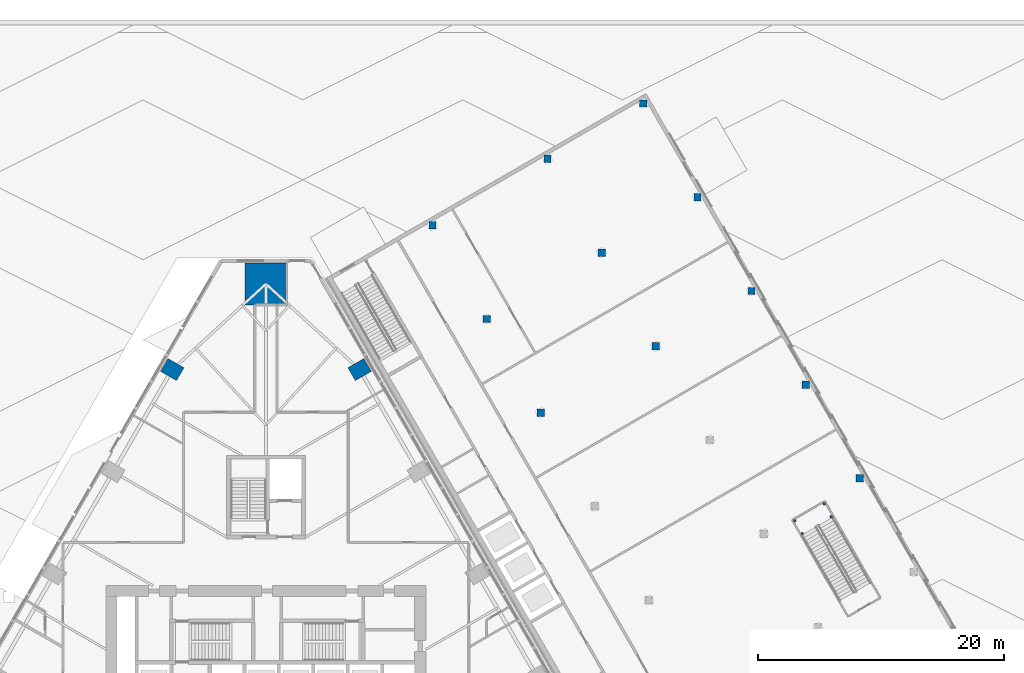
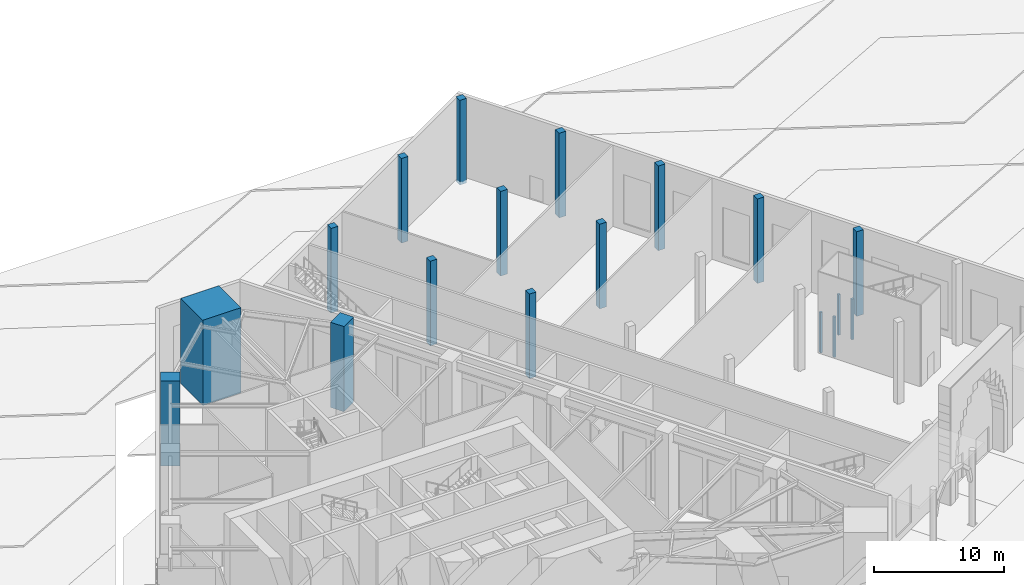
# One storey, part 3 of 34: 18 columns.
"""IFC4 building model written with IfcOpenShell, lengths in metres."""

import ifcopenshell
import ifcopenshell.guid

model = None  # the IFC model being written
_history = None  # IfcOwnerHistory: only IFC2X3 demands one
_inside = {}  # id of a spatial element -> (the spatial element, [elements in it])
_under = {}  # id of a project, library or spatial element -> (it, [spatial elements below it])
_declared = {}  # id of a project -> (the project, [libraries it declares])
_typed = {}  # id of a type object -> (the type object, [elements of that type])
_made_of = {}  # id of a material, layer set ... -> (it, [elements and type objects made of it])


def new_model(schema):
    """Start an empty IFC model of exactly this schema.

    Asked for "IFC4X3", IfcOpenShell would pick the latest addendum, in which some entities
    have other attributes; the version numbers below select the first issue.
    IFC2X3 requires an IfcOwnerHistory on every rooted entity: one is made here for all.
    """
    global model, _history
    if schema == "IFC4X3":
        model = ifcopenshell.file(schema_version=(4, 3, 0, 0))
    else:
        model = ifcopenshell.file(schema=schema)
    _inside.clear()
    _under.clear()
    _declared.clear()
    _typed.clear()
    _made_of.clear()
    _history = None
    if model.schema == "IFC2X3":
        org = make("IfcOrganization", Name="unknown")
        user = make(
            "IfcPersonAndOrganization",
            ThePerson=make("IfcPerson", FamilyName="unknown"),
            TheOrganization=org,
        )
        app = make(
            "IfcApplication",
            ApplicationDeveloper=org,
            Version="unknown",
            ApplicationFullName="unknown",
            ApplicationIdentifier="unknown",
        )
        _history = make(
            "IfcOwnerHistory",
            OwningUser=user,
            OwningApplication=app,
            ChangeAction="ADDED",
            CreationDate=0,
        )
    return model


def make(cls, **values):
    """One entity of the class cls with the attributes given. An attribute that is None is left unset."""
    return model.create_entity(
        cls, **{name: value for name, value in values.items() if value is not None}
    )


def rooted(cls, **values):
    """An entity with a GlobalId (a new one), such as an element, a storey or a relation."""
    return make(cls, GlobalId=ifcopenshell.guid.new(), OwnerHistory=_history, **values)


def si_unit(unit_type, name, prefix=None):
    """IfcSIUnit, for example si_unit("LENGTHUNIT", "METRE", prefix="MILLI")."""
    return make("IfcSIUnit", UnitType=unit_type, Prefix=prefix, Name=name)


def assignment(units):
    """IfcUnitAssignment: the units of a project."""
    return None if units is None else make("IfcUnitAssignment", Units=units)


def point(xyz):
    """IfcCartesianPoint."""
    return None if xyz is None else make("IfcCartesianPoint", Coordinates=xyz)


def direction(xyz):
    """IfcDirection."""
    return None if xyz is None else make("IfcDirection", DirectionRatios=xyz)


def frame(location, z_axis=None, x_axis=None):
    """IfcAxis2Placement3D, a coordinate frame: its origin and axes. An axis left out is left unset."""
    return make(
        "IfcAxis2Placement3D",
        Location=point(location),
        Axis=direction(z_axis),
        RefDirection=direction(x_axis),
    )


def frame_2d(location, x_axis=None):
    """IfcAxis2Placement2D, a coordinate frame in the plane: its origin and x axis."""
    return make(
        "IfcAxis2Placement2D", Location=point(location), RefDirection=direction(x_axis)
    )


def origin():
    """The frame at (0, 0, 0) with its axes left unset."""
    return frame((0.0, 0.0, 0.0))


def origin_2d():
    """The frame at (0, 0) in the plane with its x axis left unset."""
    return frame_2d((0.0, 0.0))


def place(relative_to, where):
    """IfcLocalPlacement: puts the frame where relative to a parent placement (None: the world)."""
    return make(
        "IfcLocalPlacement", PlacementRelTo=relative_to, RelativePlacement=where
    )


def context(
    kind, dimensions, precision=None, world=None, true_north=None, identifier=None
):
    """IfcGeometricRepresentationContext, for example the 3D "Model" context."""
    return make(
        "IfcGeometricRepresentationContext",
        ContextIdentifier=identifier,
        ContextType=kind,
        CoordinateSpaceDimension=dimensions,
        Precision=precision,
        WorldCoordinateSystem=world,
        TrueNorth=true_north,
    )


def subcontext(parent, identifier, kind, view, scale=None):
    """IfcGeometricRepresentationSubContext, for example "Body" below "Model"."""
    return make(
        "IfcGeometricRepresentationSubContext",
        ContextIdentifier=identifier,
        ContextType=kind,
        ParentContext=parent,
        TargetScale=scale,
        TargetView=view,
    )


def project(units=None, contexts=None):
    """IfcProject with its units and contexts."""
    return rooted(
        "IfcProject",
        Name="project",
        RepresentationContexts=contexts,
        UnitsInContext=assignment(units),
    )


def spatial(cls, under=None, at=None, **own):
    """A site, building, storey or space (cls), placed at a placement, below another one or the project."""
    s = rooted(cls, ObjectPlacement=at, **own)
    if under is not None:
        _under.setdefault(under.id(), (under, []))[1].append(s)
    return s


def profile(cls, at=None, kind="AREA", **sizes):
    """A parametric profile (cls). Its sizes go by their IFC names, for example OverallWidth=200.0."""
    return make(cls, ProfileType=kind, Position=at, **sizes)


def rectangle(**sizes):
    """IfcRectangleProfileDef."""
    return profile("IfcRectangleProfileDef", **sizes)


def extrude(swept, where, along, depth):
    """IfcExtrudedAreaSolid: the profile swept, set in the frame where, extruded along a direction by depth."""
    return make(
        "IfcExtrudedAreaSolid",
        SweptArea=swept,
        Position=where,
        ExtrudedDirection=direction(along),
        Depth=depth,
    )


def shape(context_of_items, identifier, shape_type, items):
    """IfcShapeRepresentation: the items that make up one representation, for example the "Body"."""
    return make(
        "IfcShapeRepresentation",
        ContextOfItems=context_of_items,
        RepresentationIdentifier=identifier,
        RepresentationType=shape_type,
        Items=items,
    )


def material(Name=None, Category=None):
    """IfcMaterial."""
    return make("IfcMaterial", Name=Name, Category=Category)


def material_profile(
    of_material, cross_section, Name=None, Category=None, Priority=None
):
    """IfcMaterialProfile: a cross section and its material."""
    return make(
        "IfcMaterialProfile",
        Name=Name,
        Material=of_material,
        Profile=cross_section,
        Priority=Priority,
        Category=Category,
    )


def profile_set(profiles, Name=None, composite=None):
    """IfcMaterialProfileSet."""
    return make(
        "IfcMaterialProfileSet",
        Name=Name,
        MaterialProfiles=profiles,
        CompositeProfile=composite,
    )


def made_of(thing, what):
    """Note that an element or type object is made of a material, layer set ...; save() writes the relation."""
    if what is not None:
        _made_of.setdefault(what.id(), (what, []))[1].append(thing)
    return thing


def type_object(cls, material=None, **own):
    """A type object (cls), such as IfcWallType, which elements share."""
    return made_of(rooted(cls, **own), material)


def element(
    cls,
    number,
    at=None,
    inside=None,
    cuts=None,
    type_object=None,
    material=None,
    context=None,
    identifier="Body",
    shape_type=None,
    held_by="IfcProductDefinitionShape",
    body=None,
    shapes=None,
    **own,
):
    """One element of the class cls, such as IfcWall. Its Tag is "e" and its number.

    at: its placement. inside: the storey or other place that contains it. cuts: it is an
    opening in that element (IfcRelVoidsElement). A single representation is given by context,
    identifier, shape_type and body (its items); several are given by shapes. held_by: the class
    of the entity that holds the representations. save() writes the other relations.
    """
    e = rooted(cls, Tag="e%d" % number, ObjectPlacement=at, **own)
    if body is not None:
        shapes = [shape(context, identifier, shape_type, body)]
    if shapes is not None:
        e.Representation = make(held_by, Representations=shapes)
    if inside is not None:
        _inside.setdefault(inside.id(), (inside, []))[1].append(e)
    if cuts is not None:
        rooted(
            "IfcRelVoidsElement", RelatingBuildingElement=cuts, RelatedOpeningElement=e
        )
    if type_object is not None:
        _typed.setdefault(type_object.id(), (type_object, []))[1].append(e)
    return made_of(e, material)


def aggregate(whole, parts):
    """IfcRelAggregates: a whole, such as a stair, and the parts it consists of."""
    return rooted("IfcRelAggregates", RelatingObject=whole, RelatedObjects=parts)


def save(model, path):
    """Write the relations noted so far, then the file.

    IfcRelAggregates (storeys below a building ...), IfcRelContainedInSpatialStructure (elements
    in a storey), IfcRelDefinesByType, IfcRelAssociatesMaterial and IfcRelDeclares: one each for
    every whole, place, type object, material and project.
    """
    for whole, parts in _under.values():
        aggregate(whole, parts)
    for where, things in _inside.values():
        rooted(
            "IfcRelContainedInSpatialStructure",
            RelatedElements=things,
            RelatingStructure=where,
        )
    for kind, things in _typed.values():
        rooted("IfcRelDefinesByType", RelatedObjects=things, RelatingType=kind)
    for what, things in _made_of.values():
        rooted("IfcRelAssociatesMaterial", RelatedObjects=things, RelatingMaterial=what)
    for by, libraries in _declared.values():
        rooted("IfcRelDeclares", RelatingContext=by, RelatedDefinitions=libraries)
    model.write(path)


model = new_model("IFC4")

# Units and contexts
model_context = context("Model", 3, precision=1e-05, world=origin(), true_north=direction((0.0, 1.0)))
body_context = subcontext(model_context, "Body", "Model", "MODEL_VIEW")
ifc_project = project(units=[si_unit("LENGTHUNIT", "METRE"), si_unit("AREAUNIT", "SQUARE_METRE"), si_unit("VOLUMEUNIT", "CUBIC_METRE"), si_unit("PLANEANGLEUNIT", "RADIAN"), si_unit("MASSUNIT", "GRAM", prefix="KILO")], contexts=[model_context])

# Site, building, storey
site_placement = place(None, origin())
site = spatial("IfcSite", under=ifc_project, at=site_placement, CompositionType="ELEMENT")
building_placement = place(site_placement, origin())
building = spatial("IfcBuilding", under=site, at=building_placement, Name="Firuza Gate Tower and Library", CompositionType="ELEMENT")
storey_placement = place(building_placement, origin())
storey = spatial("IfcBuildingStorey", under=building, at=storey_placement, Name="L00", CompositionType="ELEMENT", Elevation=0.0)

# Columns
ifc_material_1 = material(Name="Concrete C40/50", Category="concrete")
ifc_material_profile_1 = material_profile(ifc_material_1, rectangle(XDim=0.60009765625, YDim=0.60009765625, at=origin_2d()))
ifc_profile_set_1 = profile_set([ifc_material_profile_1], Name="Concrete C40/50")
column_type_1 = type_object("IfcColumnType", Name="LIB COLUMN 600", PredefinedType="COLUMN", material=ifc_profile_set_1)
for number, where, z_axis, x_axis, name in (
    (1, (123.294189453125, 92.72119140625, -0.300048828125), (0.0, 0.0, 1.0), (1.0, 0.0, 0.0), "Library column 3C"),
    (2, (118.894287109375, 100.34228515625, -0.300048828125), (0.0, 0.0, 1.0), (1.0, 0.0, 0.0), "Library column 4C"),
    (3, (97.346923828125, 98.063232421875, -0.300048828125), (0.0, 0.0, 1.0), (1.0, 0.0, 0.0), "Library column 5A"),
    (4, (106.699951171875, 103.46337890625, -0.300048828125), (0.0, 0.0, 1.0), (1.0, 0.0, 0.0), "Library column 5B"),
    (5, (114.494140625, 107.96337890625, -0.300048828125), (0.0, 0.0, 1.0), (1.0, 0.0, 0.0), "Library column 5C"),
    (6, (92.947021484375, 105.684326171875, -0.300048828125), (0.0, 0.0, 1.0), (1.0, 0.0, 0.0), "Library column 6A"),
    (7, (102.2998046875, 111.08447265625, -0.300048828125), (0.0, 0.0, 1.0), (1.0, 0.0, 0.0), "Library column 6B"),
    (8, (110.09423828125, 115.58447265625, -0.300048828125), (0.0, 0.0, 1.0), (1.0, 0.0, 0.0), "Library column 6C"),
    (9, (88.546875, 113.305419921875, -0.300048828125), (0.0, 0.0, 1.0), (1.0, 0.0, 0.0), "Library column 7A"),
    (10, (97.89990234375, 118.705322265625, -0.300048828125), (0.0, 0.0, 1.0), (1.0, 0.0, 0.0), "Library column 7B"),
    (11, (105.694091796875, 123.205322265625, -0.300048828125), (0.0, 0.0, 1.0), (1.0, 0.0, 0.0), "Library column 7C"),
):
    element("IfcColumn", number, at=place(storey_placement, frame(where, z_axis=z_axis, x_axis=x_axis)), inside=storey, type_object=column_type_1, Name=name, PredefinedType="COLUMN", context=body_context, shape_type="SweptSolid", body=[
        extrude(rectangle(XDim=0.60009765625, YDim=0.60009765625, at=origin_2d()), origin(), (0.0, 0.0, 1.0), 7.93994140625),
    ])
ifc_material_2 = material(Name="Concrete C40/50", Category="concrete")
ifc_material_profile_2 = material_profile(ifc_material_2, rectangle(XDim=0.199951171875, YDim=0.199951171875, at=origin_2d()))
ifc_profile_set_2 = profile_set([ifc_material_profile_2], Name="Concrete C40/50")
column_type_2 = type_object("IfcColumnType", Name="LIB STAIR POST 200", PredefinedType="COLUMN", material=ifc_profile_set_2)
for number, where, z_axis, x_axis, name in (
    (12, (120.98974609375, 89.612548828125, 0.0), (0.0, 0.0, 1.0), (1.0, 0.0, 0.0), "LIB-ST-C landing post L00"),
    (13, (118.608154296875, 88.237548828125, 0.0), (0.0, 0.0, 1.0), (1.0, 0.0, 0.0), "LIB-ST-C landing post L00"),
    (14, (120.389892578125, 90.65185546875, 0.0), (0.0, 0.0, 1.0), (1.0, 0.0, 0.0), "LIB-ST-C landing post L00"),
    (15, (118.00830078125, 89.27685546875, 0.0), (0.0, 0.0, 1.0), (1.0, 0.0, 0.0), "LIB-ST-C landing post L00"),
):
    element("IfcColumn", number, at=place(storey_placement, frame(where, z_axis=z_axis, x_axis=x_axis)), inside=storey, type_object=column_type_2, Name=name, PredefinedType="COLUMN", context=body_context, shape_type="SweptSolid", body=[
        extrude(rectangle(XDim=0.199951171875, YDim=0.199951171875, at=origin_2d()), origin(), (0.0, 0.0, 1.0), 3.800048828125),
    ])
ifc_material_3 = material(Name="Concrete C80/95", Category="concrete")
ifc_material_profile_3 = material_profile(ifc_material_3, rectangle(XDim=3.39990234375, YDim=3.39990234375, at=origin_2d()))
ifc_profile_set_3 = profile_set([ifc_material_profile_3], Name="Concrete C80/95")
column_type_3 = type_object("IfcColumnType", Name="Mega column 3400x3400 C80/95", PredefinedType="COLUMN", material=ifc_profile_set_3)
column_placement = place(storey_placement, frame((75.0, 108.533935546875, 0.0), z_axis=(0.0, 0.0, 1.0), x_axis=(-1.0, 0.0, 0.0)))
element("IfcColumn", 16, at=column_placement, inside=storey, type_object=column_type_3, Name="Mega column N L00", PredefinedType="COLUMN", context=body_context, shape_type="SweptSolid", body=[
    extrude(rectangle(XDim=3.39990234375, YDim=3.39990234375, at=origin_2d()), origin(), (0.0, 0.0, 1.0), 8.0),
])
ifc_material_4 = material(Name="Concrete C60/75", Category="concrete")
ifc_material_profile_4 = material_profile(ifc_material_4, rectangle(XDim=1.199951171875, YDim=1.5, at=origin_2d()))
ifc_profile_set_4 = profile_set([ifc_material_profile_4], Name="Concrete C60/75")
column_type_4 = type_object("IfcColumnType", Name="Perimeter column 1200x1500 C60/75", PredefinedType="COLUMN", material=ifc_profile_set_4)
for number, where, z_axis, x_axis, name in (
    (17, (82.62060546875, 101.570068359375, 0.0), (0.0, 0.0, 1.0), (-0.5, 0.866025403784, 0.0), "Column E5 L00"),
    (18, (67.37939453125, 101.570068359375, 0.0), (0.0, 0.0, 1.0), (-0.5, -0.866025403784, 0.0), "Column W1 L00"),
):
    element("IfcColumn", number, at=place(storey_placement, frame(where, z_axis=z_axis, x_axis=x_axis)), inside=storey, type_object=column_type_4, Name=name, PredefinedType="COLUMN", context=body_context, shape_type="SweptSolid", body=[
        extrude(rectangle(XDim=1.199951171875, YDim=1.5, at=origin_2d()), origin(), (0.0, 0.0, 1.0), 8.0),
    ])

save(model, "model.ifc")
